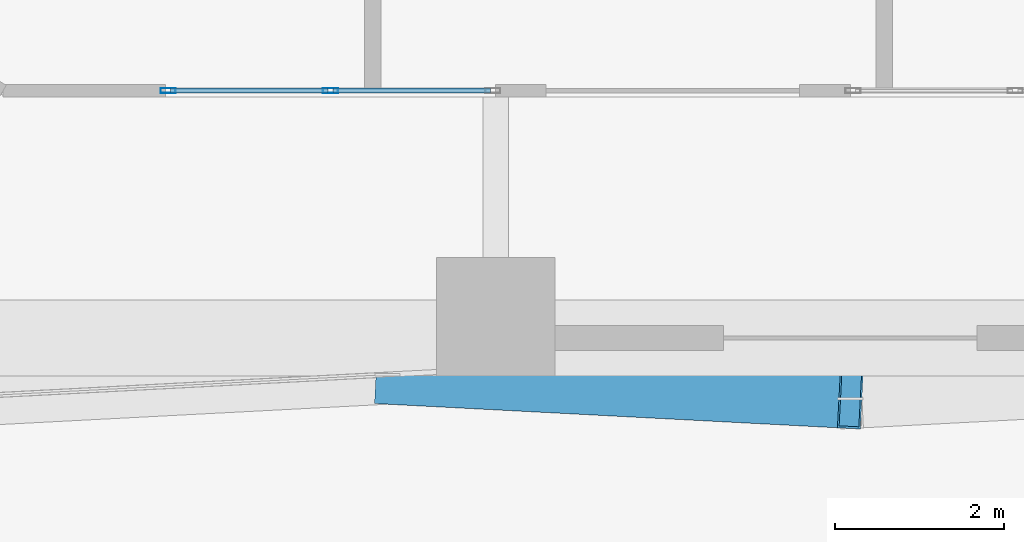
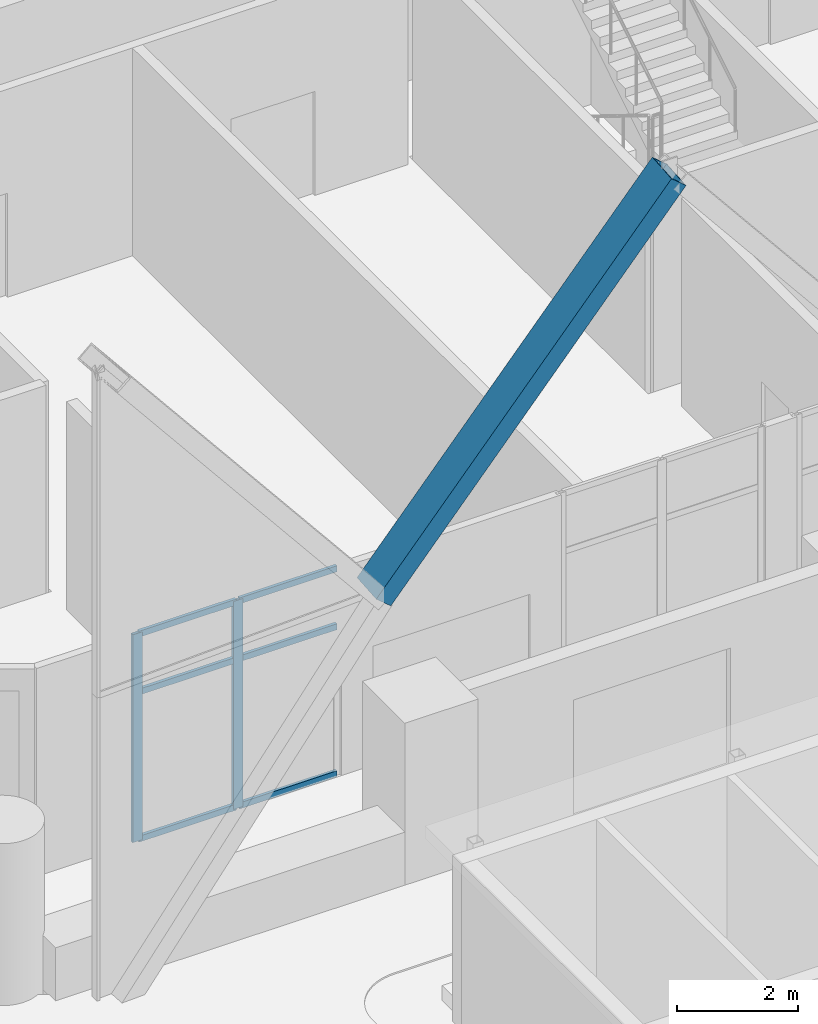
# One storey, part 9 of 71: 9 members, 1 element without a shape of its own.
"""IFC4 building model written with IfcOpenShell, lengths in metres."""

from ifc_helpers import new_model, si_unit, direction, frame, origin, origin_2d, place, context, subcontext, project, spatial, hollow_rectangle, extrude, material, material_profile, profile_set, type_object, element, aggregate, save


model = new_model("IFC4")

# Units and contexts
model_context = context("Model", 3, precision=1e-05, world=origin(), true_north=direction((0.0, 1.0)))
body_context = subcontext(model_context, "Body", "Model", "MODEL_VIEW")
ifc_project = project(units=[si_unit("LENGTHUNIT", "METRE"), si_unit("AREAUNIT", "SQUARE_METRE"), si_unit("VOLUMEUNIT", "CUBIC_METRE"), si_unit("PLANEANGLEUNIT", "RADIAN"), si_unit("MASSUNIT", "GRAM", prefix="KILO")], contexts=[model_context])

# Site, building, storey
site_placement = place(None, origin())
site = spatial("IfcSite", under=ifc_project, at=site_placement, CompositionType="ELEMENT")
building_placement = place(site_placement, origin())
building = spatial("IfcBuilding", under=site, at=building_placement, Name="Ostrander Bayou Hotel Tower", CompositionType="ELEMENT")
storey_placement = place(building_placement, frame((0.0, 0.0, 10.0)))
storey = spatial("IfcBuildingStorey", under=building, at=storey_placement, Name="L02", CompositionType="ELEMENT", Elevation=10.0)

# Curtain wall, members
ifc_material_1 = material(Name="Aluminium and clear glass", Category="aluminium")
curtain_wall_type = type_object("IfcCurtainWallType", Name="CW-SKY amenity glass wall", PredefinedType="NOTDEFINED", material=ifc_material_1)
curtain_wall_placement = place(storey_placement, origin())
curtain_wall = element("IfcCurtainWall", 1, at=curtain_wall_placement, inside=storey, type_object=curtain_wall_type, Name="CW-SKY L02 S 1", PredefinedType="NOTDEFINED")
ifc_material_2 = material(Name="Aluminium", Category="aluminium")
ifc_material_profile_1 = material_profile(ifc_material_2, hollow_rectangle(XDim=0.06005859375, YDim=0.179931640625, WallThickness=0.00390625, at=origin_2d()))
ifc_profile_set_1 = profile_set([ifc_material_profile_1], Name="Aluminium")
member_type_1 = type_object("IfcMemberType", Name="CW-SK mullion 60 x 180 mm", PredefinedType="MULLION", material=ifc_profile_set_1)
member_1_placement = place(storey_placement, frame((-8.070068359375, -18.425048828125, 0.0), z_axis=(0.0, 0.0, 1.0), x_axis=(0.0, 1.0, 0.0)))
member_1 = element("IfcMember", 2, at=member_1_placement, type_object=member_type_1, Name="CW-SKY mullion 1", PredefinedType="MULLION", context=body_context, shape_type="SweptSolid", body=[
    extrude(hollow_rectangle(XDim=0.06005859375, YDim=0.179931640625, WallThickness=0.00390625, at=origin_2d()), origin(), (0.0, 0.0, 1.0), 4.199951171875),
])
member_2_placement = place(storey_placement, frame((-6.14990234375, -18.425048828125, 0.0), z_axis=(0.0, 0.0, 1.0), x_axis=(0.0, 1.0, 0.0)))
member_2 = element("IfcMember", 3, at=member_2_placement, type_object=member_type_1, Name="CW-SKY mullion 2", PredefinedType="MULLION", context=body_context, shape_type="SweptSolid", body=[
    extrude(hollow_rectangle(XDim=0.06005859375, YDim=0.179931640625, WallThickness=0.00390625, at=origin_2d()), origin(), (0.0, 0.0, 1.0), 4.199951171875),
])
ifc_material_3 = material(Name="Aluminium", Category="aluminium")
ifc_material_profile_2 = material_profile(ifc_material_3, hollow_rectangle(XDim=0.06005859375, YDim=0.1201171875, WallThickness=0.00390625, at=origin_2d()))
ifc_profile_set_2 = profile_set([ifc_material_profile_2], Name="Aluminium")
member_type_2 = type_object("IfcMemberType", Name="CW-SK transom 60 x 120 mm", PredefinedType="USERDEFINED", material=ifc_profile_set_2)
member_3_placement = place(storey_placement, frame((-8.0400390625, -18.425048828125, 0.030029296875), z_axis=(1.0, 0.0, 0.0), x_axis=(0.0, 1.0, 0.0)))
member_3 = element("IfcMember", 4, at=member_3_placement, type_object=member_type_2, Name="CW-SKY transom 1.1", ObjectType="TRANSOM", PredefinedType="USERDEFINED", context=body_context, shape_type="SweptSolid", body=[
    extrude(hollow_rectangle(XDim=0.06005859375, YDim=0.1201171875, WallThickness=0.00390625, at=origin_2d()), origin(), (0.0, 0.0, 1.0), 1.860107421875),
])
member_4_placement = place(storey_placement, frame((-8.0400390625, -18.425048828125, 3.0), z_axis=(1.0, 0.0, 0.0), x_axis=(0.0, 1.0, 0.0)))
member_4 = element("IfcMember", 5, at=member_4_placement, type_object=member_type_2, Name="CW-SKY transom 1.2", ObjectType="TRANSOM", PredefinedType="USERDEFINED", context=body_context, shape_type="SweptSolid", body=[
    extrude(hollow_rectangle(XDim=0.06005859375, YDim=0.1201171875, WallThickness=0.00390625, at=origin_2d()), origin(), (0.0, 0.0, 1.0), 1.860107421875),
])
member_5_placement = place(storey_placement, frame((-8.0400390625, -18.425048828125, 4.169921875), z_axis=(1.0, 0.0, 0.0), x_axis=(0.0, 1.0, 0.0)))
member_5 = element("IfcMember", 6, at=member_5_placement, type_object=member_type_2, Name="CW-SKY transom 1.3", ObjectType="TRANSOM", PredefinedType="USERDEFINED", context=body_context, shape_type="SweptSolid", body=[
    extrude(hollow_rectangle(XDim=0.06005859375, YDim=0.1201171875, WallThickness=0.00390625, at=origin_2d()), origin(), (0.0, 0.0, 1.0), 1.860107421875),
])
member_6_placement = place(storey_placement, frame((-6.1201171875, -18.425048828125, 0.030029296875), z_axis=(1.0, 0.0, 0.0), x_axis=(0.0, 1.0, 0.0)))
member_6 = element("IfcMember", 7, at=member_6_placement, type_object=member_type_2, Name="CW-SKY transom 2.1", ObjectType="TRANSOM", PredefinedType="USERDEFINED", context=body_context, shape_type="SweptSolid", body=[
    extrude(hollow_rectangle(XDim=0.06005859375, YDim=0.1201171875, WallThickness=0.00390625, at=origin_2d()), origin(), (0.0, 0.0, 1.0), 1.860107421875),
])
member_7_placement = place(storey_placement, frame((-6.1201171875, -18.425048828125, 3.0), z_axis=(1.0, 0.0, 0.0), x_axis=(0.0, 1.0, 0.0)))
member_7 = element("IfcMember", 8, at=member_7_placement, type_object=member_type_2, Name="CW-SKY transom 2.2", ObjectType="TRANSOM", PredefinedType="USERDEFINED", context=body_context, shape_type="SweptSolid", body=[
    extrude(hollow_rectangle(XDim=0.06005859375, YDim=0.1201171875, WallThickness=0.00390625, at=origin_2d()), origin(), (0.0, 0.0, 1.0), 1.860107421875),
])
member_8_placement = place(storey_placement, frame((-6.1201171875, -18.425048828125, 4.169921875), z_axis=(1.0, 0.0, 0.0), x_axis=(0.0, 1.0, 0.0)))
member_8 = element("IfcMember", 9, at=member_8_placement, type_object=member_type_2, Name="CW-SKY transom 2.3", ObjectType="TRANSOM", PredefinedType="USERDEFINED", context=body_context, shape_type="SweptSolid", body=[
    extrude(hollow_rectangle(XDim=0.06005859375, YDim=0.1201171875, WallThickness=0.00390625, at=origin_2d()), origin(), (0.0, 0.0, 1.0), 1.860107421875),
])
aggregate(curtain_wall, [member_1, member_2, member_3, member_4, member_5, member_6, member_7, member_8])

# Member
ifc_material_4 = material(Name="Steel ASTM A572 Gr 50", Category="steel")
ifc_material_profile_3 = material_profile(ifc_material_4, hollow_rectangle(XDim=0.699951171875, YDim=0.35009765625, WallThickness=0.02490234375, at=origin_2d()))
ifc_profile_set_3 = profile_set([ifc_material_profile_3], Name="Steel ASTM A572 Gr 50")
member_type_3 = type_object("IfcMemberType", Name="LT1 lattice member box 700 x 350 x 25 mm", PredefinedType="BRACE", material=ifc_profile_set_3)
member_9_placement = place(storey_placement, frame((-5.475341796875, -21.783203125, 6.14990234375), z_axis=(0.629623537067, -0.032987365945, 0.77619973928), x_axis=(0.052320446705, 0.998630347454, 0.0)))
element("IfcMember", 10, at=member_9_placement, inside=storey, type_object=member_type_3, Name="LT1 L02 S 3", PredefinedType="BRACE", context=body_context, shape_type="SweptSolid", body=[
    extrude(hollow_rectangle(XDim=0.699951171875, YDim=0.35009765625, WallThickness=0.02490234375, at=origin_2d()), origin(), (0.0, 0.0, 1.0), 8.6962890625),
])

save(model, "model.ifc")
